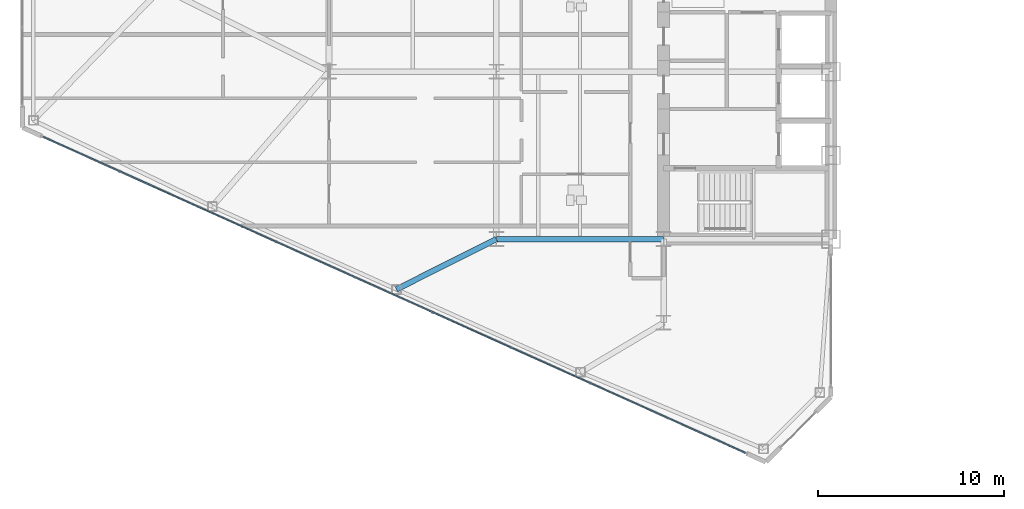
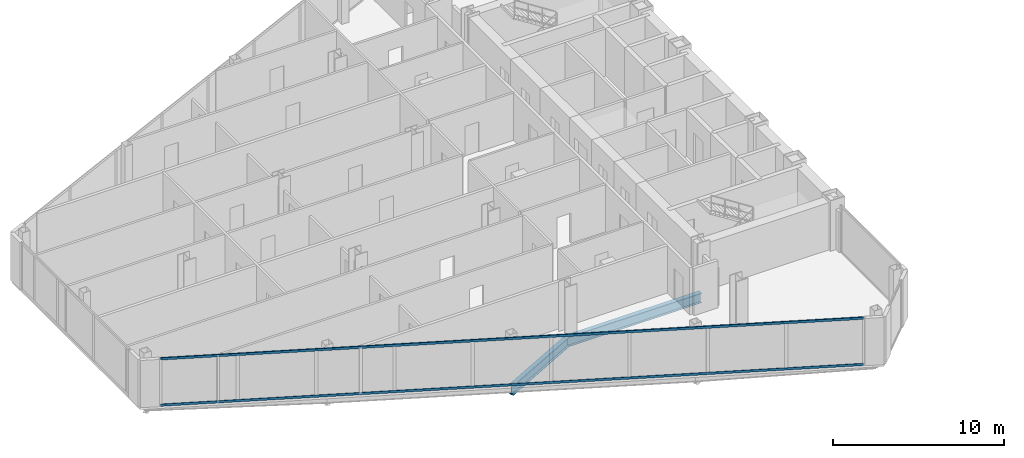
# One storey, part 4 of 27: 2 beams, 2 members, 1 element without a shape of its own.
"""IFC4 building model written with IfcOpenShell, lengths in metres."""

from ifc_helpers import new_model, si_unit, direction, frame, origin, origin_2d, place, context, subcontext, project, spatial, rectangle, i_section, extrude, source, transform, mapped, material, layer, layer_set, material_profile, profile_set, type_object, type_shapes, element, aggregate, save


model = new_model("IFC4")

# Units and contexts
model_context = context("Model", 3, precision=1e-05, world=origin(), true_north=direction((0.0, 1.0)))
body_context = subcontext(model_context, "Body", "Model", "MODEL_VIEW")
ifc_project = project(units=[si_unit("LENGTHUNIT", "METRE"), si_unit("AREAUNIT", "SQUARE_METRE"), si_unit("VOLUMEUNIT", "CUBIC_METRE"), si_unit("PLANEANGLEUNIT", "RADIAN"), si_unit("MASSUNIT", "GRAM", prefix="KILO")], contexts=[model_context])

# Site, building, storey
site_placement = place(None, origin())
site = spatial("IfcSite", under=ifc_project, at=site_placement, CompositionType="ELEMENT")
building_placement = place(site_placement, origin())
building = spatial("IfcBuilding", under=site, at=building_placement, Name="Seokmaru Belvedere", CompositionType="ELEMENT")
storey_placement = place(building_placement, frame((0.0, 0.0, 96.0)))
storey = spatial("IfcBuildingStorey", under=building, at=storey_placement, Name="L25", CompositionType="ELEMENT", Elevation=96.0)

# Beams
ifc_material_1 = material(Name="Steel SM355 (355 MPa)", Category="steel")
ifc_material_profile_1 = material_profile(ifc_material_1, i_section(OverallWidth=0.300048828125, OverallDepth=0.699951171875, WebThickness=0.012939453125, FlangeThickness=0.02392578125, at=origin_2d()), Name="H-700x300x13x24")
ifc_profile_set_1 = profile_set([ifc_material_profile_1], Name="Steel SM355 (355 MPa)")
beam_type = type_object("IfcBeamType", Name="Primary Floor Girder H-700", PredefinedType="BEAM", material=ifc_profile_set_1)
shared_shape_1 = source(origin(), body_context, "Body", "SweptSolid", [
    extrude(i_section(OverallWidth=0.300048828125, OverallDepth=0.699951171875, WebThickness=0.012939453125, FlangeThickness=0.02392578125, at=origin_2d()), origin(), (0.0, 0.0, 1.0), 9.0),
])
beam_1_placement = place(storey_placement, frame((-45.5, -13.5, -0.570068359375), z_axis=(1.0, 0.0, 0.0), x_axis=(0.0, 1.0, 0.0)))
element("IfcBeam", 1, at=beam_1_placement, inside=storey, type_object=beam_type, Name="L25 W Wing Primary Girder 1", PredefinedType="BEAM", context=body_context, shape_type="MappedRepresentation", body=[
    mapped(shared_shape_1, transform((0.0, 0.0, 0.0), scale=1.0)),
])
shared_shape_2 = source(origin(), body_context, "Body", "SweptSolid", [
    extrude(i_section(OverallWidth=0.300048828125, OverallDepth=0.699951171875, WebThickness=0.012939453125, FlangeThickness=0.02392578125, at=origin_2d()), origin(), (0.0, 0.0, 1.0), 6.017333984375),
])
type_shapes(beam_type, [shared_shape_1, shared_shape_2])
beam_2_placement = place(storey_placement, frame((-50.875, -16.205322265625, -0.570068359375), z_axis=(0.893239341975, 0.449581447512, 0.0), x_axis=(-0.449581447512, 0.893239341975, 0.0)))
element("IfcBeam", 2, at=beam_2_placement, inside=storey, type_object=beam_type, Name="L25 W Flank Radial Floor Girder S-2", PredefinedType="BEAM", context=body_context, shape_type="MappedRepresentation", body=[
    mapped(shared_shape_2, transform((0.0, 0.0, 0.0), scale=1.0)),
])

# Curtain wall, members
ifc_material_2 = material(Name="Bronze Triple Insulating Glass", Category="glass")
ifc_layer = layer(ifc_material_2, 0.195068359375)
ifc_layer_set = layer_set([ifc_layer], Name="Bronze Triple Insulating Glass")
curtain_wall_type = type_object("IfcCurtainWallType", Name="Lower-Mid Tapered Curtain Wall System CW-3", PredefinedType="NOTDEFINED", material=ifc_layer_set)
curtain_wall_placement = place(storey_placement, origin())
curtain_wall = element("IfcCurtainWall", 3, at=curtain_wall_placement, inside=storey, type_object=curtain_wall_type, Name="L25 Curtain Wall WF5", PredefinedType="NOTDEFINED")
ifc_material_3 = material(Name="Anodised Bronze Aluminium", Category="aluminium")
ifc_material_profile_2 = material_profile(ifc_material_3, rectangle(XDim=0.070068359375, YDim=0.1650390625, at=origin_2d()), Name="CW-T-70x165")
ifc_profile_set_2 = profile_set([ifc_material_profile_2], Name="Anodised Bronze Aluminium")
member_type = type_object("IfcMemberType", Name="Bronze Unitised Transom 70x165", PredefinedType="USERDEFINED", material=ifc_profile_set_2)
shared_shape_3 = source(origin(), body_context, "Body", "SweptSolid", [
    extrude(rectangle(XDim=0.070068359375, YDim=0.1650390625, at=origin_2d()), origin(), (0.0, 0.0, 1.0), 41.423583984375),
])
type_shapes(member_type, [shared_shape_3])
member_1_placement = place(storey_placement, frame((-69.887451171875, -8.00048828125, 0.034912109375), z_axis=(0.911918637916, -0.410371048956, 0.0), x_axis=(0.410371048956, 0.911918637916, 0.0)))
member_1 = element("IfcMember", 4, at=member_1_placement, type_object=member_type, Name="CW:L25:WF5 Continuous Transom 1", ObjectType="TRANSOM", PredefinedType="USERDEFINED", context=body_context, shape_type="MappedRepresentation", body=[
    mapped(shared_shape_3, transform((0.0, 0.0, 0.0), scale=1.0)),
])
member_2_placement = place(storey_placement, frame((-69.887451171875, -8.00048828125, 3.344970703125), z_axis=(0.911918637916, -0.410371048956, 0.0), x_axis=(0.410371048956, 0.911918637916, 0.0)))
member_2 = element("IfcMember", 5, at=member_2_placement, type_object=member_type, Name="CW:L25:WF5 Continuous Transom 2", ObjectType="TRANSOM", PredefinedType="USERDEFINED", context=body_context, shape_type="MappedRepresentation", body=[
    mapped(shared_shape_3, transform((0.0, 0.0, 0.0), scale=1.0)),
])
aggregate(curtain_wall, [member_1, member_2])

save(model, "model.ifc")
